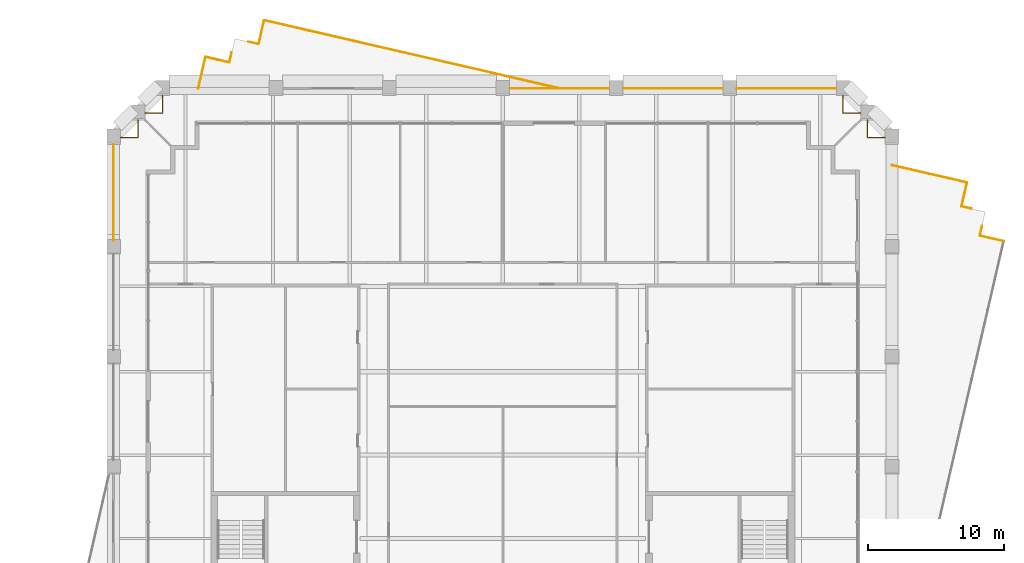
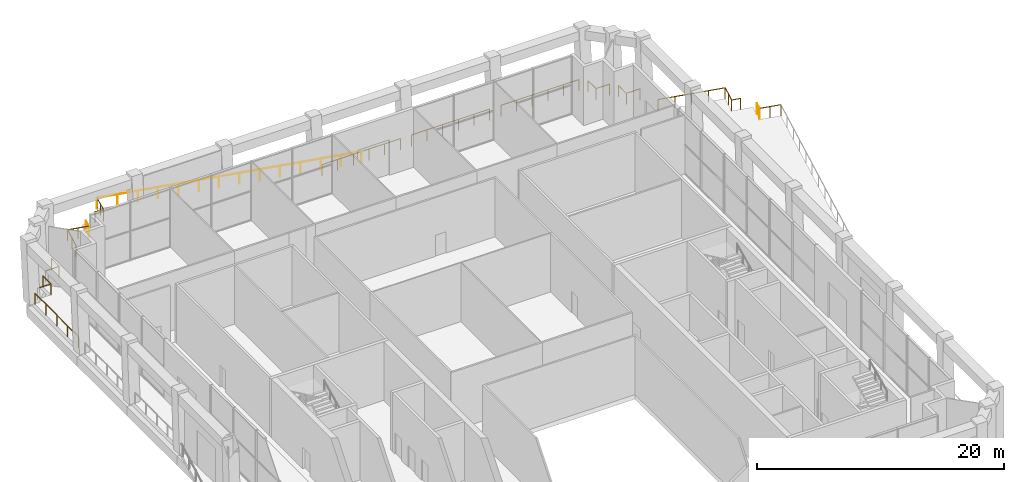
# One storey, part 19 of 20: 19 railings.
"""IFC4 building model written with IfcOpenShell, lengths in metres."""

import ifcopenshell
import ifcopenshell.guid

model = None  # the IFC model being written
_history = None  # IfcOwnerHistory: only IFC2X3 demands one
_inside = {}  # id of a spatial element -> (the spatial element, [elements in it])
_under = {}  # id of a project, library or spatial element -> (it, [spatial elements below it])
_declared = {}  # id of a project -> (the project, [libraries it declares])
_typed = {}  # id of a type object -> (the type object, [elements of that type])
_made_of = {}  # id of a material, layer set ... -> (it, [elements and type objects made of it])


def new_model(schema):
    """Start an empty IFC model of exactly this schema.

    Asked for "IFC4X3", IfcOpenShell would pick the latest addendum, in which some entities
    have other attributes; the version numbers below select the first issue.
    IFC2X3 requires an IfcOwnerHistory on every rooted entity: one is made here for all.
    """
    global model, _history
    if schema == "IFC4X3":
        model = ifcopenshell.file(schema_version=(4, 3, 0, 0))
    else:
        model = ifcopenshell.file(schema=schema)
    _inside.clear()
    _under.clear()
    _declared.clear()
    _typed.clear()
    _made_of.clear()
    _history = None
    if model.schema == "IFC2X3":
        org = make("IfcOrganization", Name="unknown")
        user = make(
            "IfcPersonAndOrganization",
            ThePerson=make("IfcPerson", FamilyName="unknown"),
            TheOrganization=org,
        )
        app = make(
            "IfcApplication",
            ApplicationDeveloper=org,
            Version="unknown",
            ApplicationFullName="unknown",
            ApplicationIdentifier="unknown",
        )
        _history = make(
            "IfcOwnerHistory",
            OwningUser=user,
            OwningApplication=app,
            ChangeAction="ADDED",
            CreationDate=0,
        )
    return model


def make(cls, **values):
    """One entity of the class cls with the attributes given. An attribute that is None is left unset."""
    return model.create_entity(
        cls, **{name: value for name, value in values.items() if value is not None}
    )


def rooted(cls, **values):
    """An entity with a GlobalId (a new one), such as an element, a storey or a relation."""
    return make(cls, GlobalId=ifcopenshell.guid.new(), OwnerHistory=_history, **values)


def si_unit(unit_type, name, prefix=None):
    """IfcSIUnit, for example si_unit("LENGTHUNIT", "METRE", prefix="MILLI")."""
    return make("IfcSIUnit", UnitType=unit_type, Prefix=prefix, Name=name)


def assignment(units):
    """IfcUnitAssignment: the units of a project."""
    return None if units is None else make("IfcUnitAssignment", Units=units)


def point(xyz):
    """IfcCartesianPoint."""
    return None if xyz is None else make("IfcCartesianPoint", Coordinates=xyz)


def direction(xyz):
    """IfcDirection."""
    return None if xyz is None else make("IfcDirection", DirectionRatios=xyz)


def frame(location, z_axis=None, x_axis=None):
    """IfcAxis2Placement3D, a coordinate frame: its origin and axes. An axis left out is left unset."""
    return make(
        "IfcAxis2Placement3D",
        Location=point(location),
        Axis=direction(z_axis),
        RefDirection=direction(x_axis),
    )


def frame_2d(location, x_axis=None):
    """IfcAxis2Placement2D, a coordinate frame in the plane: its origin and x axis."""
    return make(
        "IfcAxis2Placement2D", Location=point(location), RefDirection=direction(x_axis)
    )


def origin():
    """The frame at (0, 0, 0) with its axes left unset."""
    return frame((0.0, 0.0, 0.0))


def origin_2d():
    """The frame at (0, 0) in the plane with its x axis left unset."""
    return frame_2d((0.0, 0.0))


def place(relative_to, where):
    """IfcLocalPlacement: puts the frame where relative to a parent placement (None: the world)."""
    return make(
        "IfcLocalPlacement", PlacementRelTo=relative_to, RelativePlacement=where
    )


def context(
    kind, dimensions, precision=None, world=None, true_north=None, identifier=None
):
    """IfcGeometricRepresentationContext, for example the 3D "Model" context."""
    return make(
        "IfcGeometricRepresentationContext",
        ContextIdentifier=identifier,
        ContextType=kind,
        CoordinateSpaceDimension=dimensions,
        Precision=precision,
        WorldCoordinateSystem=world,
        TrueNorth=true_north,
    )


def subcontext(parent, identifier, kind, view, scale=None):
    """IfcGeometricRepresentationSubContext, for example "Body" below "Model"."""
    return make(
        "IfcGeometricRepresentationSubContext",
        ContextIdentifier=identifier,
        ContextType=kind,
        ParentContext=parent,
        TargetScale=scale,
        TargetView=view,
    )


def project(units=None, contexts=None):
    """IfcProject with its units and contexts."""
    return rooted(
        "IfcProject",
        Name="project",
        RepresentationContexts=contexts,
        UnitsInContext=assignment(units),
    )


def spatial(cls, under=None, at=None, **own):
    """A site, building, storey or space (cls), placed at a placement, below another one or the project."""
    s = rooted(cls, ObjectPlacement=at, **own)
    if under is not None:
        _under.setdefault(under.id(), (under, []))[1].append(s)
    return s


def profile(cls, at=None, kind="AREA", **sizes):
    """A parametric profile (cls). Its sizes go by their IFC names, for example OverallWidth=200.0."""
    return make(cls, ProfileType=kind, Position=at, **sizes)


def circle(**sizes):
    """IfcCircleProfileDef."""
    return profile("IfcCircleProfileDef", **sizes)


def extrude(swept, where, along, depth):
    """IfcExtrudedAreaSolid: the profile swept, set in the frame where, extruded along a direction by depth."""
    return make(
        "IfcExtrudedAreaSolid",
        SweptArea=swept,
        Position=where,
        ExtrudedDirection=direction(along),
        Depth=depth,
    )


def shape(context_of_items, identifier, shape_type, items):
    """IfcShapeRepresentation: the items that make up one representation, for example the "Body"."""
    return make(
        "IfcShapeRepresentation",
        ContextOfItems=context_of_items,
        RepresentationIdentifier=identifier,
        RepresentationType=shape_type,
        Items=items,
    )


def material(Name=None, Category=None):
    """IfcMaterial."""
    return make("IfcMaterial", Name=Name, Category=Category)


def made_of(thing, what):
    """Note that an element or type object is made of a material, layer set ...; save() writes the relation."""
    if what is not None:
        _made_of.setdefault(what.id(), (what, []))[1].append(thing)
    return thing


def type_object(cls, material=None, **own):
    """A type object (cls), such as IfcWallType, which elements share."""
    return made_of(rooted(cls, **own), material)


def element(
    cls,
    number,
    at=None,
    inside=None,
    cuts=None,
    type_object=None,
    material=None,
    context=None,
    identifier="Body",
    shape_type=None,
    held_by="IfcProductDefinitionShape",
    body=None,
    shapes=None,
    **own,
):
    """One element of the class cls, such as IfcWall. Its Tag is "e" and its number.

    at: its placement. inside: the storey or other place that contains it. cuts: it is an
    opening in that element (IfcRelVoidsElement). A single representation is given by context,
    identifier, shape_type and body (its items); several are given by shapes. held_by: the class
    of the entity that holds the representations. save() writes the other relations.
    """
    e = rooted(cls, Tag="e%d" % number, ObjectPlacement=at, **own)
    if body is not None:
        shapes = [shape(context, identifier, shape_type, body)]
    if shapes is not None:
        e.Representation = make(held_by, Representations=shapes)
    if inside is not None:
        _inside.setdefault(inside.id(), (inside, []))[1].append(e)
    if cuts is not None:
        rooted(
            "IfcRelVoidsElement", RelatingBuildingElement=cuts, RelatedOpeningElement=e
        )
    if type_object is not None:
        _typed.setdefault(type_object.id(), (type_object, []))[1].append(e)
    return made_of(e, material)


def aggregate(whole, parts):
    """IfcRelAggregates: a whole, such as a stair, and the parts it consists of."""
    return rooted("IfcRelAggregates", RelatingObject=whole, RelatedObjects=parts)


def save(model, path):
    """Write the relations noted so far, then the file.

    IfcRelAggregates (storeys below a building ...), IfcRelContainedInSpatialStructure (elements
    in a storey), IfcRelDefinesByType, IfcRelAssociatesMaterial and IfcRelDeclares: one each for
    every whole, place, type object, material and project.
    """
    for whole, parts in _under.values():
        aggregate(whole, parts)
    for where, things in _inside.values():
        rooted(
            "IfcRelContainedInSpatialStructure",
            RelatedElements=things,
            RelatingStructure=where,
        )
    for kind, things in _typed.values():
        rooted("IfcRelDefinesByType", RelatedObjects=things, RelatingType=kind)
    for what, things in _made_of.values():
        rooted("IfcRelAssociatesMaterial", RelatedObjects=things, RelatingMaterial=what)
    for by, libraries in _declared.values():
        rooted("IfcRelDeclares", RelatingContext=by, RelatedDefinitions=libraries)
    model.write(path)


model = new_model("IFC4")

# Units and contexts
model_context = context("Model", 3, precision=1e-05, world=origin(), true_north=direction((0.0, 1.0)))
body_context = subcontext(model_context, "Body", "Model", "MODEL_VIEW")
ifc_project = project(units=[si_unit("LENGTHUNIT", "METRE"), si_unit("AREAUNIT", "SQUARE_METRE"), si_unit("VOLUMEUNIT", "CUBIC_METRE"), si_unit("PLANEANGLEUNIT", "RADIAN"), si_unit("MASSUNIT", "GRAM", prefix="KILO")], contexts=[model_context])

# Site, building, storey
site_placement = place(None, origin())
site = spatial("IfcSite", under=ifc_project, at=site_placement, CompositionType="ELEMENT")
building_placement = place(site_placement, origin())
building = spatial("IfcBuilding", under=site, at=building_placement, Name="Ogive Exchange Tower", CompositionType="ELEMENT")
storey_placement = place(building_placement, frame((0.0, 0.0, 303.0)))
storey = spatial("IfcBuildingStorey", under=building, at=storey_placement, Name="L66", CompositionType="ELEMENT", Elevation=303.0)

# Railings
ifc_material = material(Name="Stainless steel 316", Category="steel")
railing_type_1 = type_object("IfcRailingType", Name="Balustrade 1100 glass and stainless steel", PredefinedType="BALUSTRADE", material=ifc_material)
railing_1_placement = place(storey_placement, frame((34.170166015625, 48.481689453125, 0.0)))
element("IfcRailing", 1, at=railing_1_placement, inside=storey, type_object=railing_type_1, Name="Terrace balustrade 7", PredefinedType="BALUSTRADE", context=body_context, shape_type="SweptSolid", body=[
    extrude(circle(Radius=0.02392578125, at=origin_2d()), frame((0.0, 0.0, 1.076171875), z_axis=(-0.224879318197, -0.974386623598, 0.0), x_axis=(0.974386623598, -0.224879318197, 0.0)), (0.0, 0.0, 1.0), 1.800048828125),
    extrude(circle(Radius=0.02099609375, at=origin_2d()), origin(), (0.0, 0.0, 1.0), 1.052001953125),
    extrude(circle(Radius=0.02099609375, at=origin_2d()), frame((-0.202392578125, -0.876953125, 0.0)), (0.0, 0.0, 1.0), 1.052001953125),
    extrude(circle(Radius=0.02099609375, at=origin_2d()), frame((-0.40478515625, -1.75390625, 0.0)), (0.0, 0.0, 1.0), 1.052001953125),
])
railing_2_placement = place(storey_placement, frame((33.765380859375, 46.727783203125, 0.0)))
element("IfcRailing", 2, at=railing_2_placement, inside=storey, type_object=railing_type_1, Name="Terrace balustrade 8", PredefinedType="BALUSTRADE", context=body_context, shape_type="SweptSolid", body=[
    extrude(circle(Radius=0.02392578125, at=origin_2d()), frame((0.0, 0.0, 1.076171875), z_axis=(0.974424118823, -0.224716792108, 0.0), x_axis=(0.224716792108, 0.974424118823, 0.0)), (0.0, 0.0, 1.0), 0.749755859375),
    extrude(circle(Radius=0.02099609375, at=origin_2d()), origin(), (0.0, 0.0, 1.0), 1.052001953125),
    extrude(circle(Radius=0.02099609375, at=origin_2d()), frame((0.73046875, -0.16845703125, 0.0)), (0.0, 0.0, 1.0), 1.052001953125),
])
railing_3_placement = place(storey_placement, frame((35.282958984375, 45.2998046875, 0.0)))
element("IfcRailing", 3, at=railing_3_placement, inside=storey, type_object=railing_type_1, Name="Terrace balustrade 9", PredefinedType="BALUSTRADE", context=body_context, shape_type="SweptSolid", body=[
    extrude(circle(Radius=0.02392578125, at=origin_2d()), frame((0.0, 0.0, 1.076171875), z_axis=(-0.224954609936, -0.974369243905, 0.0), x_axis=(0.974369243905, -0.224954609936, 0.0)), (0.0, 0.0, 1.0), 0.75),
    extrude(circle(Radius=0.02099609375, at=origin_2d()), origin(), (0.0, 0.0, 1.0), 1.052001953125),
    extrude(circle(Radius=0.02099609375, at=origin_2d()), frame((-0.168701171875, -0.730712890625, 0.0)), (0.0, 0.0, 1.0), 1.052001953125),
])
railing_4_placement = place(storey_placement, frame((35.1142578125, 44.569091796875, 0.0)))
element("IfcRailing", 4, at=railing_4_placement, inside=storey, type_object=railing_type_1, Name="Terrace balustrade 10", PredefinedType="BALUSTRADE", context=body_context, shape_type="SweptSolid", body=[
    extrude(circle(Radius=0.02392578125, at=origin_2d()), frame((0.0, 0.0, 1.076171875), z_axis=(0.974386623598, -0.224879318197, 0.0), x_axis=(0.224879318197, 0.974386623598, 0.0)), (0.0, 0.0, 1.0), 1.800048828125),
    extrude(circle(Radius=0.02099609375, at=origin_2d()), origin(), (0.0, 0.0, 1.0), 1.052001953125),
    extrude(circle(Radius=0.02099609375, at=origin_2d()), frame((0.876953125, -0.202392578125, 0.0)), (0.0, 0.0, 1.0), 1.052001953125),
    extrude(circle(Radius=0.02099609375, at=origin_2d()), frame((1.75390625, -0.40478515625, 0.0)), (0.0, 0.0, 1.0), 1.052001953125),
])
railing_5_placement = place(storey_placement, frame((28.64990234375, 49.756103515625, 0.0)))
element("IfcRailing", 5, at=railing_5_placement, inside=storey, type_object=railing_type_1, Name="Terrace balustrade 12", PredefinedType="BALUSTRADE", context=body_context, shape_type="SweptSolid", body=[
    extrude(circle(Radius=0.02392578125, at=origin_2d()), frame((0.0, 0.0, 1.076171875), z_axis=(0.974371582339, -0.224944480996, 0.0), x_axis=(0.224944480996, 0.974371582339, 0.0)), (0.0, 0.0, 1.0), 5.66552734375),
    extrude(circle(Radius=0.02099609375, at=origin_2d()), origin(), (0.0, 0.0, 1.0), 1.052001953125),
    extrude(circle(Radius=0.02099609375, at=origin_2d()), frame((1.380126953125, -0.318603515625, 0.0)), (0.0, 0.0, 1.0), 1.052001953125),
    extrude(circle(Radius=0.02099609375, at=origin_2d()), frame((2.76025390625, -0.63720703125, 0.0)), (0.0, 0.0, 1.0), 1.052001953125),
    extrude(circle(Radius=0.02099609375, at=origin_2d()), frame((4.14013671875, -0.955810546875, 0.0)), (0.0, 0.0, 1.0), 1.052001953125),
    extrude(circle(Radius=0.02099609375, at=origin_2d()), frame((5.520263671875, -1.2744140625, 0.0)), (0.0, 0.0, 1.0), 1.052001953125),
])
railing_6_placement = place(storey_placement, frame((-21.886474609375, 57.728759765625, 0.0)))
element("IfcRailing", 6, at=railing_6_placement, inside=storey, type_object=railing_type_1, Name="Terrace balustrade 19", PredefinedType="BALUSTRADE", context=body_context, shape_type="SweptSolid", body=[
    extrude(circle(Radius=0.02392578125, at=origin_2d()), frame((0.0, 0.0, 1.076171875), z_axis=(0.974386623598, -0.224879318197, 0.0), x_axis=(0.224879318197, 0.974386623598, 0.0)), (0.0, 0.0, 1.0), 1.800048828125),
    extrude(circle(Radius=0.02099609375, at=origin_2d()), origin(), (0.0, 0.0, 1.0), 1.052001953125),
    extrude(circle(Radius=0.02099609375, at=origin_2d()), frame((0.876953125, -0.202392578125, 0.0)), (0.0, 0.0, 1.0), 1.052001953125),
    extrude(circle(Radius=0.02099609375, at=origin_2d()), frame((1.75390625, -0.40478515625, 0.0)), (0.0, 0.0, 1.0), 1.052001953125),
])
railing_7_placement = place(storey_placement, frame((-20.132568359375, 57.323974609375, 0.0)))
element("IfcRailing", 7, at=railing_7_placement, inside=storey, type_object=railing_type_1, Name="Terrace balustrade 20", PredefinedType="BALUSTRADE", context=body_context, shape_type="SweptSolid", body=[
    extrude(circle(Radius=0.02392578125, at=origin_2d()), frame((0.0, 0.0, 1.076171875), z_axis=(0.224954609936, 0.974369243905, 0.0), x_axis=(-0.974369243905, 0.224954609936, 0.0)), (0.0, 0.0, 1.0), 0.75),
    extrude(circle(Radius=0.02099609375, at=origin_2d()), origin(), (0.0, 0.0, 1.0), 1.052001953125),
    extrude(circle(Radius=0.02099609375, at=origin_2d()), frame((0.168701171875, 0.730712890625, 0.0)), (0.0, 0.0, 1.0), 1.052001953125),
])
railing_8_placement = place(storey_placement, frame((-18.704833984375, 58.841796875, 0.0)))
element("IfcRailing", 8, at=railing_8_placement, inside=storey, type_object=railing_type_1, Name="Terrace balustrade 21", PredefinedType="BALUSTRADE", context=body_context, shape_type="SweptSolid", body=[
    extrude(circle(Radius=0.02392578125, at=origin_2d()), frame((0.0, 0.0, 1.076171875), z_axis=(0.974330848668, -0.22512085051, 0.0), x_axis=(0.22512085051, 0.974330848668, 0.0)), (0.0, 0.0, 1.0), 0.75048828125),
    extrude(circle(Radius=0.02099609375, at=origin_2d()), origin(), (0.0, 0.0, 1.0), 1.052001953125),
    extrude(circle(Radius=0.02099609375, at=origin_2d()), frame((0.731201171875, -0.1689453125, 0.0)), (0.0, 0.0, 1.0), 1.052001953125),
])
railing_9_placement = place(storey_placement, frame((-17.9736328125, 58.6728515625, 0.0)))
element("IfcRailing", 9, at=railing_9_placement, inside=storey, type_object=railing_type_1, Name="Terrace balustrade 22", PredefinedType="BALUSTRADE", context=body_context, shape_type="SweptSolid", body=[
    extrude(circle(Radius=0.02392578125, at=origin_2d()), frame((0.0, 0.0, 1.076171875), z_axis=(0.224879318197, 0.974386623598, 0.0), x_axis=(-0.974386623598, 0.224879318197, 0.0)), (0.0, 0.0, 1.0), 1.800048828125),
    extrude(circle(Radius=0.02099609375, at=origin_2d()), origin(), (0.0, 0.0, 1.0), 1.052001953125),
    extrude(circle(Radius=0.02099609375, at=origin_2d()), frame((0.202392578125, 0.876953125, 0.0)), (0.0, 0.0, 1.0), 1.052001953125),
    extrude(circle(Radius=0.02099609375, at=origin_2d()), frame((0.40478515625, 1.75390625, 0.0)), (0.0, 0.0, 1.0), 1.052001953125),
])
railing_10_placement = place(storey_placement, frame((-17.56884765625, 60.4267578125, 0.0)))
element("IfcRailing", 10, at=railing_10_placement, inside=storey, type_object=railing_type_1, Name="Terrace balustrade 23", PredefinedType="BALUSTRADE", context=body_context, shape_type="SweptSolid", body=[
    extrude(circle(Radius=0.02392578125, at=origin_2d()), frame((0.0, 0.0, 1.076171875), z_axis=(0.974368357359, -0.224958449889, 0.0), x_axis=(0.224958449889, 0.974368357359, 0.0)), (0.0, 0.0, 1.0), 22.345703125),
    extrude(circle(Radius=0.02099609375, at=origin_2d()), origin(), (0.0, 0.0, 1.0), 1.052001953125),
    extrude(circle(Radius=0.02099609375, at=origin_2d()), frame((1.6748046875, -0.38671875, 0.0)), (0.0, 0.0, 1.0), 1.052001953125),
    extrude(circle(Radius=0.02099609375, at=origin_2d()), frame((3.349609375, -0.7734375, 0.0)), (0.0, 0.0, 1.0), 1.052001953125),
    extrude(circle(Radius=0.02099609375, at=origin_2d()), frame((5.0244140625, -1.16015625, 0.0)), (0.0, 0.0, 1.0), 1.052001953125),
    extrude(circle(Radius=0.02099609375, at=origin_2d()), frame((6.699462890625, -1.546630859375, 0.0)), (0.0, 0.0, 1.0), 1.052001953125),
    extrude(circle(Radius=0.02099609375, at=origin_2d()), frame((8.374267578125, -1.933349609375, 0.0)), (0.0, 0.0, 1.0), 1.052001953125),
    extrude(circle(Radius=0.02099609375, at=origin_2d()), frame((10.049072265625, -2.320068359375, 0.0)), (0.0, 0.0, 1.0), 1.052001953125),
    extrude(circle(Radius=0.02099609375, at=origin_2d()), frame((11.723876953125, -2.706787109375, 0.0)), (0.0, 0.0, 1.0), 1.052001953125),
    extrude(circle(Radius=0.02099609375, at=origin_2d()), frame((13.398681640625, -3.093505859375, 0.0)), (0.0, 0.0, 1.0), 1.052001953125),
    extrude(circle(Radius=0.02099609375, at=origin_2d()), frame((15.073486328125, -3.480224609375, 0.0)), (0.0, 0.0, 1.0), 1.052001953125),
    extrude(circle(Radius=0.02099609375, at=origin_2d()), frame((16.74853515625, -3.86669921875, 0.0)), (0.0, 0.0, 1.0), 1.052001953125),
    extrude(circle(Radius=0.02099609375, at=origin_2d()), frame((18.42333984375, -4.25341796875, 0.0)), (0.0, 0.0, 1.0), 1.052001953125),
    extrude(circle(Radius=0.02099609375, at=origin_2d()), frame((20.09814453125, -4.64013671875, 0.0)), (0.0, 0.0, 1.0), 1.052001953125),
    extrude(circle(Radius=0.02099609375, at=origin_2d()), frame((21.77294921875, -5.02685546875, 0.0)), (0.0, 0.0, 1.0), 1.052001953125),
])
railing_11_placement = place(storey_placement, frame((-22.424072265625, 55.39990234375, 0.0)))
element("IfcRailing", 11, at=railing_11_placement, inside=storey, type_object=railing_type_1, Name="Terrace balustrade 24", PredefinedType="BALUSTRADE", context=body_context, shape_type="SweptSolid", body=[
    extrude(circle(Radius=0.02392578125, at=origin_2d()), frame((0.0, 0.0, 1.076171875), z_axis=(0.22492664742, 0.974375699246, 0.0), x_axis=(-0.974375699246, 0.22492664742, 0.0)), (0.0, 0.0, 1.0), 2.39013671875),
    extrude(circle(Radius=0.02099609375, at=origin_2d()), origin(), (0.0, 0.0, 1.0), 1.052001953125),
    extrude(circle(Radius=0.02099609375, at=origin_2d()), frame((0.268798828125, 1.16455078125, 0.0)), (0.0, 0.0, 1.0), 1.052001953125),
    extrude(circle(Radius=0.02099609375, at=origin_2d()), frame((0.53759765625, 2.328857421875, 0.0)), (0.0, 0.0, 1.0), 1.052001953125),
])
railing_type_2 = type_object("IfcRailingType", Name="Guard 1100 stainless steel and glass", PredefinedType="GUARDRAIL", material=ifc_material)
railing_12_placement = place(storey_placement, frame((24.530029296875, 55.39990234375, 0.0)))
element("IfcRailing", 12, at=railing_12_placement, inside=storey, type_object=railing_type_2, Name="Loggia guard N00", PredefinedType="GUARDRAIL", context=body_context, shape_type="SweptSolid", body=[
    extrude(circle(Radius=0.02392578125, at=origin_2d()), frame((0.0, 0.0, 1.076171875), z_axis=(-1.0, 0.0, 0.0), x_axis=(0.0, -1.0, 0.0)), (0.0, 0.0, 1.0), 7.31005859375),
    extrude(circle(Radius=0.02099609375, at=origin_2d()), origin(), (0.0, 0.0, 1.0), 1.052001953125),
    extrude(circle(Radius=0.02099609375, at=origin_2d()), frame((-1.4619140625, 0.0, 0.0)), (0.0, 0.0, 1.0), 1.052001953125),
    extrude(circle(Radius=0.02099609375, at=origin_2d()), frame((-2.924072265625, 0.0, 0.0)), (0.0, 0.0, 1.0), 1.052001953125),
    extrude(circle(Radius=0.02099609375, at=origin_2d()), frame((-4.385986328125, 0.0, 0.0)), (0.0, 0.0, 1.0), 1.052001953125),
    extrude(circle(Radius=0.02099609375, at=origin_2d()), frame((-5.84814453125, 0.0, 0.0)), (0.0, 0.0, 1.0), 1.052001953125),
    extrude(circle(Radius=0.02099609375, at=origin_2d()), frame((-7.31005859375, 0.0, 0.0)), (0.0, 0.0, 1.0), 1.052001953125),
])
railing_13_placement = place(storey_placement, frame((16.179931640625, 55.39990234375, 0.0)))
element("IfcRailing", 13, at=railing_13_placement, inside=storey, type_object=railing_type_2, Name="Loggia guard N01", PredefinedType="GUARDRAIL", context=body_context, shape_type="SweptSolid", body=[
    extrude(circle(Radius=0.02392578125, at=origin_2d()), frame((0.0, 0.0, 1.076171875), z_axis=(-1.0, 0.0, 0.0), x_axis=(0.0, -1.0, 0.0)), (0.0, 0.0, 1.0), 7.309814453125),
    extrude(circle(Radius=0.02099609375, at=origin_2d()), origin(), (0.0, 0.0, 1.0), 1.052001953125),
    extrude(circle(Radius=0.02099609375, at=origin_2d()), frame((-1.4619140625, 0.0, 0.0)), (0.0, 0.0, 1.0), 1.052001953125),
    extrude(circle(Radius=0.02099609375, at=origin_2d()), frame((-2.923828125, 0.0, 0.0)), (0.0, 0.0, 1.0), 1.052001953125),
    extrude(circle(Radius=0.02099609375, at=origin_2d()), frame((-4.385986328125, 0.0, 0.0)), (0.0, 0.0, 1.0), 1.052001953125),
    extrude(circle(Radius=0.02099609375, at=origin_2d()), frame((-5.847900390625, 0.0, 0.0)), (0.0, 0.0, 1.0), 1.052001953125),
    extrude(circle(Radius=0.02099609375, at=origin_2d()), frame((-7.309814453125, 0.0, 0.0)), (0.0, 0.0, 1.0), 1.052001953125),
])
railing_14_placement = place(storey_placement, frame((7.830078125, 55.39990234375, 0.0)))
element("IfcRailing", 14, at=railing_14_placement, inside=storey, type_object=railing_type_2, Name="Loggia guard N02", PredefinedType="GUARDRAIL", context=body_context, shape_type="SweptSolid", body=[
    extrude(circle(Radius=0.02392578125, at=origin_2d()), frame((0.0, 0.0, 1.076171875), z_axis=(-1.0, 0.0, 0.0), x_axis=(0.0, -1.0, 0.0)), (0.0, 0.0, 1.0), 7.31005859375),
    extrude(circle(Radius=0.02099609375, at=origin_2d()), origin(), (0.0, 0.0, 1.0), 1.052001953125),
    extrude(circle(Radius=0.02099609375, at=origin_2d()), frame((-1.4619140625, 0.0, 0.0)), (0.0, 0.0, 1.0), 1.052001953125),
    extrude(circle(Radius=0.02099609375, at=origin_2d()), frame((-2.924072265625, 0.0, 0.0)), (0.0, 0.0, 1.0), 1.052001953125),
    extrude(circle(Radius=0.02099609375, at=origin_2d()), frame((-4.385986328125, 0.0, 0.0)), (0.0, 0.0, 1.0), 1.052001953125),
    extrude(circle(Radius=0.02099609375, at=origin_2d()), frame((-5.84814453125, 0.0, 0.0)), (0.0, 0.0, 1.0), 1.052001953125),
    extrude(circle(Radius=0.02099609375, at=origin_2d()), frame((-7.31005859375, 0.0, 0.0)), (0.0, 0.0, 1.0), 1.052001953125),
])
railing_15_placement = place(storey_placement, frame((-28.64990234375, 51.280029296875, 0.0)))
element("IfcRailing", 15, at=railing_15_placement, inside=storey, type_object=railing_type_2, Name="Loggia guard W00", PredefinedType="GUARDRAIL", context=body_context, shape_type="SweptSolid", body=[
    extrude(circle(Radius=0.02392578125, at=origin_2d()), frame((0.0, 0.0, 1.076171875), z_axis=(0.0, -1.0, 0.0), x_axis=(1.0, 0.0, 0.0)), (0.0, 0.0, 1.0), 7.045654296875),
    extrude(circle(Radius=0.02099609375, at=origin_2d()), origin(), (0.0, 0.0, 1.0), 1.052001953125),
    extrude(circle(Radius=0.02099609375, at=origin_2d()), frame((0.0, -1.761474609375, 0.0)), (0.0, 0.0, 1.0), 1.052001953125),
    extrude(circle(Radius=0.02099609375, at=origin_2d()), frame((0.0, -3.52294921875, 0.0)), (0.0, 0.0, 1.0), 1.052001953125),
    extrude(circle(Radius=0.02099609375, at=origin_2d()), frame((0.0, -5.2841796875, 0.0)), (0.0, 0.0, 1.0), 1.052001953125),
    extrude(circle(Radius=0.02099609375, at=origin_2d()), frame((0.0, -7.045654296875, 0.0)), (0.0, 0.0, 1.0), 1.052001953125),
])
railing_16_placement = place(storey_placement, frame((28.1298828125, 51.800048828125, 0.0)))
element("IfcRailing", 16, at=railing_16_placement, inside=storey, type_object=railing_type_2, Name="Loggia guard C21", PredefinedType="GUARDRAIL", context=body_context, shape_type="SweptSolid", body=[
    extrude(circle(Radius=0.02392578125, at=origin_2d()), frame((0.0, 0.0, 1.076171875), z_axis=(-1.0, 0.0, 0.0), x_axis=(0.0, -1.0, 0.0)), (0.0, 0.0, 1.0), 1.27978515625),
    extrude(circle(Radius=0.02392578125, at=origin_2d()), frame((-1.27978515625, 0.0, 1.076171875), z_axis=(0.0, 1.0, 0.0), x_axis=(-1.0, 0.0, 0.0)), (0.0, 0.0, 1.0), 1.280029296875),
    extrude(circle(Radius=0.02099609375, at=origin_2d()), origin(), (0.0, 0.0, 1.0), 1.052001953125),
    extrude(circle(Radius=0.02099609375, at=origin_2d()), frame((-1.27978515625, 0.0, 0.0)), (0.0, 0.0, 1.0), 1.052001953125),
    extrude(circle(Radius=0.02099609375, at=origin_2d()), frame((-1.27978515625, 1.280029296875, 0.0)), (0.0, 0.0, 1.0), 1.052001953125),
])
railing_17_placement = place(storey_placement, frame((26.330078125, 53.60009765625, 0.0)))
element("IfcRailing", 17, at=railing_17_placement, inside=storey, type_object=railing_type_2, Name="Loggia guard C22", PredefinedType="GUARDRAIL", context=body_context, shape_type="SweptSolid", body=[
    extrude(circle(Radius=0.02392578125, at=origin_2d()), frame((0.0, 0.0, 1.076171875), z_axis=(-1.0, 0.0, 0.0), x_axis=(0.0, -1.0, 0.0)), (0.0, 0.0, 1.0), 1.280029296875),
    extrude(circle(Radius=0.02392578125, at=origin_2d()), frame((-1.280029296875, 0.0, 1.076171875), z_axis=(0.0, 1.0, 0.0), x_axis=(-1.0, 0.0, 0.0)), (0.0, 0.0, 1.0), 1.27978515625),
    extrude(circle(Radius=0.02099609375, at=origin_2d()), origin(), (0.0, 0.0, 1.0), 1.052001953125),
    extrude(circle(Radius=0.02099609375, at=origin_2d()), frame((-1.280029296875, 0.0, 0.0)), (0.0, 0.0, 1.0), 1.052001953125),
    extrude(circle(Radius=0.02099609375, at=origin_2d()), frame((-1.280029296875, 1.27978515625, 0.0)), (0.0, 0.0, 1.0), 1.052001953125),
])
railing_18_placement = place(storey_placement, frame((-25.050048828125, 54.8798828125, 0.0)))
element("IfcRailing", 18, at=railing_18_placement, inside=storey, type_object=railing_type_2, Name="Loggia guard C31", PredefinedType="GUARDRAIL", context=body_context, shape_type="SweptSolid", body=[
    extrude(circle(Radius=0.02392578125, at=origin_2d()), frame((0.0, 0.0, 1.076171875), z_axis=(0.0, -1.0, 0.0), x_axis=(1.0, 0.0, 0.0)), (0.0, 0.0, 1.0), 1.27978515625),
    extrude(circle(Radius=0.02392578125, at=origin_2d()), frame((0.0, -1.27978515625, 1.076171875), z_axis=(-1.0, 0.0, 0.0), x_axis=(0.0, -1.0, 0.0)), (0.0, 0.0, 1.0), 1.280029296875),
    extrude(circle(Radius=0.02099609375, at=origin_2d()), origin(), (0.0, 0.0, 1.0), 1.052001953125),
    extrude(circle(Radius=0.02099609375, at=origin_2d()), frame((0.0, -1.27978515625, 0.0)), (0.0, 0.0, 1.0), 1.052001953125),
    extrude(circle(Radius=0.02099609375, at=origin_2d()), frame((-1.280029296875, -1.27978515625, 0.0)), (0.0, 0.0, 1.0), 1.052001953125),
])
railing_19_placement = place(storey_placement, frame((-26.85009765625, 53.080078125, 0.0)))
element("IfcRailing", 19, at=railing_19_placement, inside=storey, type_object=railing_type_2, Name="Loggia guard C32", PredefinedType="GUARDRAIL", context=body_context, shape_type="SweptSolid", body=[
    extrude(circle(Radius=0.02392578125, at=origin_2d()), frame((0.0, 0.0, 1.076171875), z_axis=(0.0, -1.0, 0.0), x_axis=(1.0, 0.0, 0.0)), (0.0, 0.0, 1.0), 1.280029296875),
    extrude(circle(Radius=0.02392578125, at=origin_2d()), frame((0.0, -1.280029296875, 1.076171875), z_axis=(-1.0, 0.0, 0.0), x_axis=(0.0, -1.0, 0.0)), (0.0, 0.0, 1.0), 1.27978515625),
    extrude(circle(Radius=0.02099609375, at=origin_2d()), origin(), (0.0, 0.0, 1.0), 1.052001953125),
    extrude(circle(Radius=0.02099609375, at=origin_2d()), frame((0.0, -1.280029296875, 0.0)), (0.0, 0.0, 1.0), 1.052001953125),
    extrude(circle(Radius=0.02099609375, at=origin_2d()), frame((-1.27978515625, -1.280029296875, 0.0)), (0.0, 0.0, 1.0), 1.052001953125),
])

save(model, "model.ifc")
